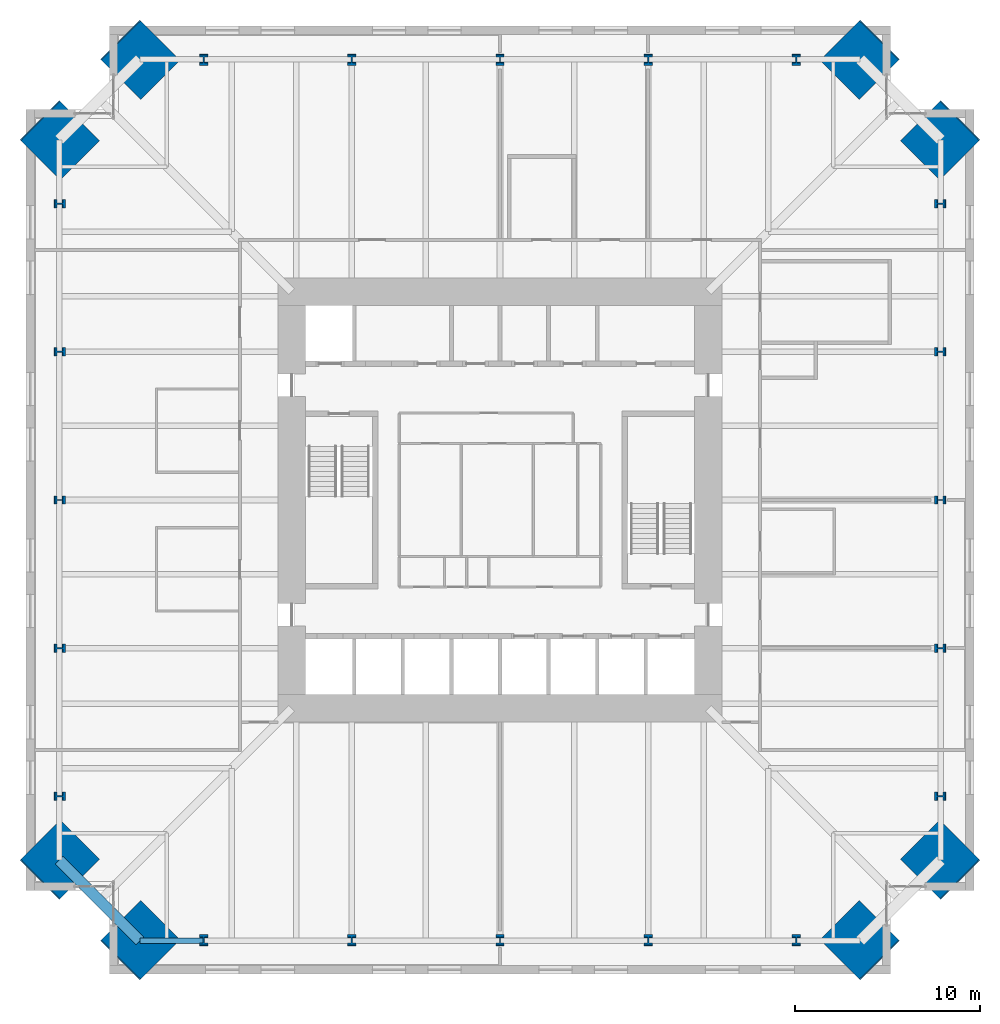
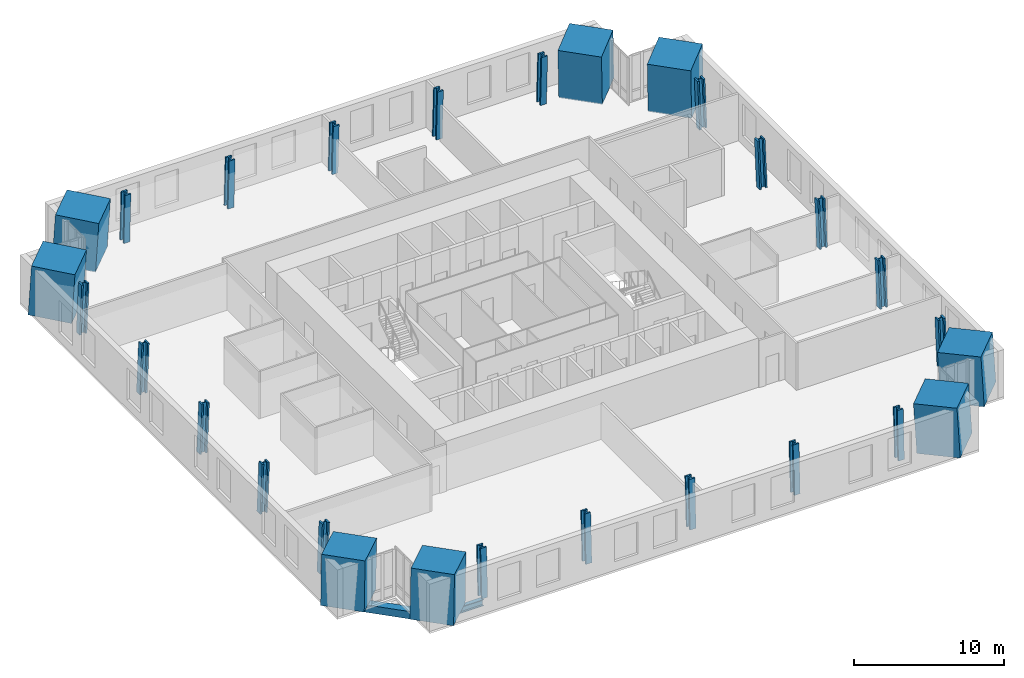
# One storey, part 1 of 18: 28 columns, 2 beams.
"""IFC4 building model written with IfcOpenShell, lengths in metres."""

from ifc_helpers import new_model, si_unit, direction, frame, origin, origin_2d, place, context, subcontext, project, spatial, rectangle, hollow_rectangle, i_section, extrude, material, material_profile, profile_set, type_object, element, save


model = new_model("IFC4")

# Units and contexts
model_context = context("Model", 3, precision=1e-05, world=origin(), true_north=direction((0.0, 1.0)))
body_context = subcontext(model_context, "Body", "Model", "MODEL_VIEW")
ifc_project = project(units=[si_unit("LENGTHUNIT", "METRE"), si_unit("AREAUNIT", "SQUARE_METRE"), si_unit("VOLUMEUNIT", "CUBIC_METRE"), si_unit("PLANEANGLEUNIT", "RADIAN"), si_unit("MASSUNIT", "GRAM", prefix="KILO")], contexts=[model_context])

# Site, building, storey
site_placement = place(None, origin())
site = spatial("IfcSite", under=ifc_project, at=site_placement, CompositionType="ELEMENT")
building_placement = place(site_placement, origin())
building = spatial("IfcBuilding", under=site, at=building_placement, Name="Peilmerk Tower", CompositionType="ELEMENT")
storey_placement = place(building_placement, frame((0.0, 0.0, 175.800048828125)))
storey = spatial("IfcBuildingStorey", under=building, at=storey_placement, Name="L37", CompositionType="ELEMENT", Elevation=175.800048828125)

# Columns
ifc_material_1 = material(Name="Concrete C90/105", Category="concrete")
ifc_material_profile_1 = material_profile(ifc_material_1, rectangle(XDim=3.0, YDim=3.0, at=origin_2d()), Name="RC 3000x3000")
ifc_profile_set_1 = profile_set([ifc_material_profile_1], Name="Concrete C90/105")
column_type_1 = type_object("IfcColumnType", Name="MC2 3000x3000 encased mega column", PredefinedType="COLUMN", material=ifc_profile_set_1)
for number, where, z_axis, x_axis, name in (
    (1, (19.4580078125, 23.80810546875, 0.0), (-0.040217894151, -0.040278830354, 0.998378754189), (0.707641859868, -0.706571297296, 0.0), "Mega column MC2 NE_N L37"),
    (2, (23.80810546875, 19.4580078125, 0.0), (-0.040278830354, -0.040217894151, 0.998378754189), (0.706571297296, -0.707641859868, 0.0), "Mega column MC2 NE_E L37"),
    (3, (23.80810546875, -19.4580078125, 0.0), (-0.040278830354, 0.040217894151, 0.998378754189), (-0.706571297296, -0.707641859868, 0.0), "Mega column MC2 SE_E L37"),
    (4, (19.4580078125, -23.80810546875, 0.0), (-0.040217894151, 0.040278830354, 0.998378754189), (-0.707641859868, -0.706571297296, 0.0), "Mega column MC2 SE_S L37"),
    (5, (-19.4580078125, -23.80810546875, 0.0), (0.040217894151, 0.040278830354, 0.998378754189), (-0.707641859868, 0.706571297296, 0.0), "Mega column MC2 SW_S L37"),
    (6, (-23.80810546875, -19.4580078125, 0.0), (0.040278830354, 0.040217894151, 0.998378754189), (-0.706571297296, 0.707641859868, 0.0), "Mega column MC2 SW_W L37"),
    (7, (-23.80810546875, 19.4580078125, 0.0), (0.040278830354, -0.040217894151, 0.998378754189), (0.706571297296, 0.707641859868, 0.0), "Mega column MC2 NW_W L37"),
    (8, (-19.4580078125, 23.80810546875, 0.0), (0.040217894151, -0.040278830354, 0.998378754189), (0.707641859868, 0.706571297296, 0.0), "Mega column MC2 NW_N L37"),
):
    element("IfcColumn", number, at=place(storey_placement, frame(where, z_axis=z_axis, x_axis=x_axis)), inside=storey, type_object=column_type_1, Name=name, PredefinedType="COLUMN", context=body_context, shape_type="SweptSolid", body=[
        extrude(rectangle(XDim=3.0, YDim=3.0, at=origin_2d()), origin(), (0.0, 0.0, 1.0), 4.006591796875),
    ])
ifc_material_2 = material(Name="Steel S460", Category="steel")
ifc_material_profile_2 = material_profile(ifc_material_2, i_section(OverallWidth=0.4541015625, OverallDepth=0.569091796875, WebThickness=0.077880859375, FlangeThickness=0.125, at=origin_2d()), Name="HD 400x1086")
ifc_profile_set_2 = profile_set([ifc_material_profile_2], Name="Steel S460")
column_type_2 = type_object("IfcColumnType", Name="SC6 HD 400x1086 interior column", PredefinedType="COLUMN", material=ifc_profile_set_2)
for number, where, z_axis, x_axis, name in (
    (9, (0.0, 23.80810546875, 0.0), (0.0, -0.040311445006, 0.999187163349), (1.0, 0.0, 0.0), "Perimeter column N+0 L37"),
    (10, (8.0, 23.80810546875, 0.0), (0.0, -0.040311445006, 0.999187163349), (1.0, 0.0, 0.0), "Perimeter column N-8 L37"),
    (11, (-8.0, 23.80810546875, 0.0), (0.0, -0.040311445006, 0.999187163349), (1.0, 0.0, 0.0), "Perimeter column N+8 L37"),
    (12, (16.0, 23.80810546875, 0.0), (0.0, -0.040311445006, 0.999187163349), (1.0, 0.0, 0.0), "Perimeter column N-16 L37"),
    (13, (-16.0, 23.80810546875, 0.0), (0.0, -0.040311445006, 0.999187163349), (1.0, 0.0, 0.0), "Perimeter column N+16 L37"),
    (14, (23.80810546875, 0.0, 0.0), (-0.040311445006, 0.0, 0.999187163349), (0.0, -1.0, 0.0), "Perimeter column E+0 L37"),
    (15, (23.80810546875, -8.0, 0.0), (-0.040311445006, 0.0, 0.999187163349), (0.0, -1.0, 0.0), "Perimeter column E-8 L37"),
    (16, (23.80810546875, 8.0, 0.0), (-0.040311445006, 0.0, 0.999187163349), (0.0, -1.0, 0.0), "Perimeter column E+8 L37"),
    (17, (23.80810546875, -16.0, 0.0), (-0.040311445006, 0.0, 0.999187163349), (0.0, -1.0, 0.0), "Perimeter column E-16 L37"),
    (18, (23.80810546875, 16.0, 0.0), (-0.040311445006, 0.0, 0.999187163349), (0.0, -1.0, 0.0), "Perimeter column E+16 L37"),
    (19, (0.0, -23.80810546875, 0.0), (0.0, 0.040311445006, 0.999187163349), (-1.0, 0.0, 0.0), "Perimeter column S+0 L37"),
    (20, (-8.0, -23.80810546875, 0.0), (0.0, 0.040311445006, 0.999187163349), (-1.0, 0.0, 0.0), "Perimeter column S-8 L37"),
    (21, (8.0, -23.80810546875, 0.0), (0.0, 0.040311445006, 0.999187163349), (-1.0, 0.0, 0.0), "Perimeter column S+8 L37"),
    (22, (-16.0, -23.80810546875, 0.0), (0.0, 0.040311445006, 0.999187163349), (-1.0, 0.0, 0.0), "Perimeter column S-16 L37"),
    (23, (16.0, -23.80810546875, 0.0), (0.0, 0.040311445006, 0.999187163349), (-1.0, 0.0, 0.0), "Perimeter column S+16 L37"),
    (24, (-23.80810546875, 0.0, 0.0), (0.040311445006, 0.0, 0.999187163349), (0.0, 1.0, 0.0), "Perimeter column W+0 L37"),
    (25, (-23.80810546875, 8.0, 0.0), (0.040311445006, 0.0, 0.999187163349), (0.0, 1.0, 0.0), "Perimeter column W-8 L37"),
    (26, (-23.80810546875, -8.0, 0.0), (0.040311445006, 0.0, 0.999187163349), (0.0, 1.0, 0.0), "Perimeter column W+8 L37"),
    (27, (-23.80810546875, 16.0, 0.0), (0.040311445006, 0.0, 0.999187163349), (0.0, 1.0, 0.0), "Perimeter column W-16 L37"),
    (28, (-23.80810546875, -16.0, 0.0), (0.040311445006, 0.0, 0.999187163349), (0.0, 1.0, 0.0), "Perimeter column W+16 L37"),
):
    element("IfcColumn", number, at=place(storey_placement, frame(where, z_axis=z_axis, x_axis=x_axis)), inside=storey, type_object=column_type_2, Name=name, PredefinedType="COLUMN", context=body_context, shape_type="SweptSolid", body=[
        extrude(i_section(OverallWidth=0.4541015625, OverallDepth=0.569091796875, WebThickness=0.077880859375, FlangeThickness=0.125, at=origin_2d()), origin(), (0.0, 0.0, 1.0), 4.003173828125),
    ])

# Beams
ifc_material_profile_3 = material_profile(ifc_material_2, hollow_rectangle(XDim=0.60009765625, YDim=0.60009765625, WallThickness=0.06005859375, at=origin_2d()), Name="BOX 600x600x60")
ifc_profile_set_3 = profile_set([ifc_material_profile_3], Name="Steel S460")
beam_type_1 = type_object("IfcBeamType", Name="B20 BOX 600x600x60 notch beam", PredefinedType="SPANDREL", material=ifc_profile_set_3)
beam_1_placement = place(storey_placement, frame((-19.4580078125, -23.80810546875, -0.469970703125), z_axis=(-0.707106781187, 0.707106781187, 0.0), x_axis=(-0.707106781187, -0.707106781187, 0.0)))
element("IfcBeam", 29, at=beam_1_placement, inside=storey, type_object=beam_type_1, Name="Notch beam L37", PredefinedType="SPANDREL", context=body_context, shape_type="SweptSolid", body=[
    extrude(hollow_rectangle(XDim=0.60009765625, YDim=0.60009765625, WallThickness=0.06005859375, at=origin_2d()), origin(), (0.0, 0.0, 1.0), 6.15185546875),
])
ifc_material_3 = material(Name="Steel S355", Category="steel")
ifc_material_profile_4 = material_profile(ifc_material_3, i_section(OverallWidth=0.305908203125, OverallDepth=0.52392578125, WebThickness=0.02099609375, FlangeThickness=0.0400390625, at=origin_2d()), Name="HEM 500")
ifc_profile_set_4 = profile_set([ifc_material_profile_4], Name="Steel S355")
beam_type_2 = type_object("IfcBeamType", Name="B33 HEM 500 edge beam", PredefinedType="SPANDREL", material=ifc_profile_set_4)
beam_2_placement = place(storey_placement, frame((-19.4580078125, -23.80810546875, -0.43212890625), z_axis=(1.0, 0.0, 0.0), x_axis=(0.0, 1.0, 0.0)))
element("IfcBeam", 30, at=beam_2_placement, inside=storey, type_object=beam_type_2, Name="Edge beam L37", PredefinedType="SPANDREL", context=body_context, shape_type="SweptSolid", body=[
    extrude(i_section(OverallWidth=0.305908203125, OverallDepth=0.52392578125, WebThickness=0.02099609375, FlangeThickness=0.0400390625, at=origin_2d()), origin(), (0.0, 0.0, 1.0), 3.4580078125),
])

save(model, "model.ifc")
